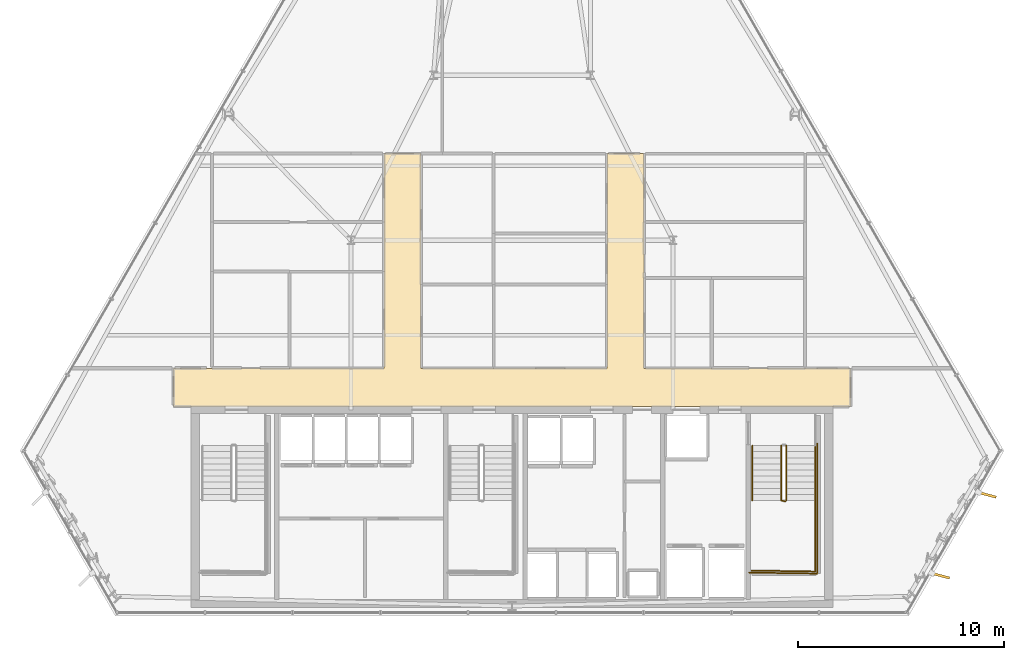
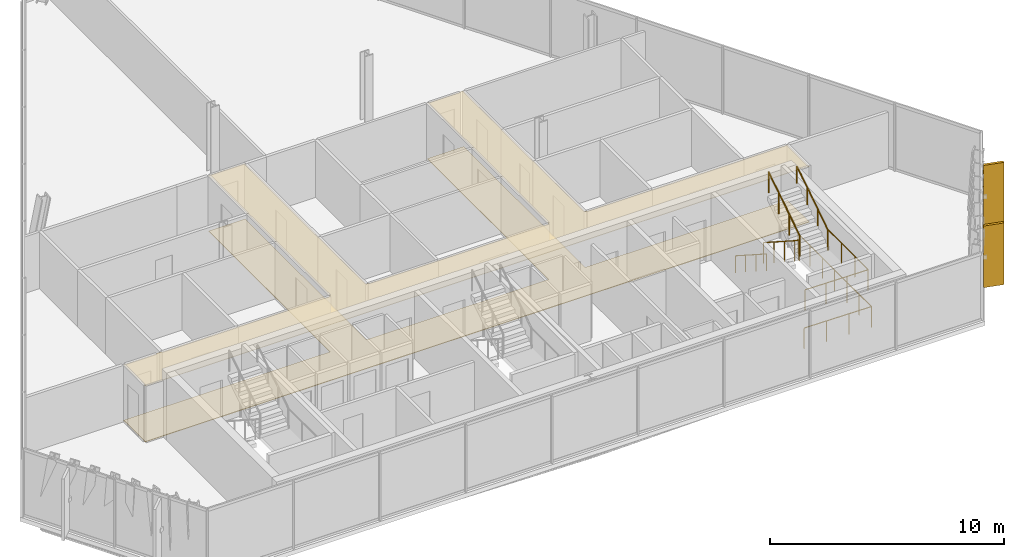
# One storey, part 32 of 34: 6 railings, 2 coverings, 2 shading devices.
"""IFC4 building model written with IfcOpenShell, lengths in metres."""

from ifc_helpers import new_model, si_unit, direction, frame, origin, origin_2d, place, context, subcontext, project, spatial, polyline, rectangle, circle, outline, extrude, material, layer, layer_set, type_object, element, save


model = new_model("IFC4")

# Units and contexts
model_context = context("Model", 3, precision=1e-05, world=origin(), true_north=direction((0.0, 1.0)))
body_context = subcontext(model_context, "Body", "Model", "MODEL_VIEW")
ifc_project = project(units=[si_unit("LENGTHUNIT", "METRE"), si_unit("AREAUNIT", "SQUARE_METRE"), si_unit("VOLUMEUNIT", "CUBIC_METRE"), si_unit("PLANEANGLEUNIT", "RADIAN"), si_unit("MASSUNIT", "GRAM", prefix="KILO")], contexts=[model_context])

# Site, building, storey
site_placement = place(None, origin())
site = spatial("IfcSite", under=ifc_project, at=site_placement, CompositionType="ELEMENT")
building_placement = place(site_placement, origin())
building = spatial("IfcBuilding", under=site, at=building_placement, Name="Ndaravel Arena Tower", CompositionType="ELEMENT")
storey_placement = place(building_placement, frame((0.0, 0.0, 199.199951171875)))
storey = spatial("IfcBuildingStorey", under=building, at=storey_placement, Name="L48", CompositionType="ELEMENT", Elevation=199.199951171875)

# Coverings
ifc_material_1 = material(Name="Acoustic Ceiling Tile", Category="finish")
ifc_layer_1 = layer(ifc_material_1, 0.02490234375)
ifc_layer_set_1 = layer_set([ifc_layer_1], Name="Acoustic Ceiling Tile")
covering_type_1 = type_object("IfcCoveringType", Name="COV-CEIL-AC600", PredefinedType="CEILING", material=ifc_layer_set_1)
covering_1_placement = place(storey_placement, frame((0.0, 0.0, 2.920654296875)))
element("IfcCovering", 1, at=covering_1_placement, inside=storey, type_object=covering_type_1, Name="L48 Corridor Acoustic Ceiling", PredefinedType="CEILING", context=body_context, shape_type="SweptSolid", body=[
    extrude(outline(polyline([(58.39990234375, 17.0), (48.39990234375, 17.0), (48.39990234375, 27.39990234375), (46.60009765625, 27.39990234375), (46.60009765625, 17.0), (37.60009765625, 17.0), (37.60009765625, 27.39990234375), (35.800048828125, 27.39990234375), (35.800048828125, 17.0), (25.60009765625, 17.0), (25.60009765625, 15.14990234375), (58.39990234375, 15.14990234375), (58.39990234375, 17.0)])), origin(), (0.0, 0.0, 1.0), 0.02490234375),
])
ifc_material_2 = material(Name="Terrazzo", Category="stone")
ifc_layer_2 = layer(ifc_material_2, 0.030029296875)
ifc_layer_set_2 = layer_set([ifc_layer_2], Name="Terrazzo")
covering_type_2 = type_object("IfcCoveringType", Name="COV-FLOOR-TERRAZZO", PredefinedType="FLOORING", material=ifc_layer_set_2)
covering_2_placement = place(storey_placement, origin())
element("IfcCovering", 2, at=covering_2_placement, inside=storey, type_object=covering_type_2, Name="L48 Corridor Terrazzo Flooring", PredefinedType="FLOORING", context=body_context, shape_type="SweptSolid", body=[
    extrude(outline(polyline([(58.39990234375, 17.0), (48.39990234375, 17.0), (48.39990234375, 27.39990234375), (46.60009765625, 27.39990234375), (46.60009765625, 17.0), (37.60009765625, 17.0), (37.60009765625, 27.39990234375), (35.800048828125, 27.39990234375), (35.800048828125, 17.0), (25.60009765625, 17.0), (25.60009765625, 15.14990234375), (58.39990234375, 15.14990234375), (58.39990234375, 17.0)])), origin(), (0.0, 0.0, 1.0), 0.030029296875),
])

# Railings
ifc_material_3 = material(Name="Steel S355", Category="steel")
ifc_layer_3 = layer(ifc_material_3, 0.06005859375)
ifc_layer_set_3 = layer_set([ifc_layer_3], Name="Steel S355")
railing_type_1 = type_object("IfcRailingType", Name="RAIL-STAIR-GD1100", PredefinedType="GUARDRAIL", material=ifc_layer_set_3)
railing_1_placement = place(storey_placement, frame((55.050048828125, 13.25, 0.18994140625)))
element("IfcRailing", 3, at=railing_1_placement, inside=storey, type_object=railing_type_1, Name="L48 ST-3 stair guard 1", PredefinedType="GUARDRAIL", context=body_context, shape_type="SweptSolid", body=[
    extrude(circle(Radius=0.02392578125, at=origin_2d()), frame((0.0, 0.0, 1.076171875), z_axis=(0.0, -0.840688348013, 0.541519253134), x_axis=(1.0, 0.0, 0.0)), (0.0, 0.0, 1.0), 3.158203125),
    extrude(circle(Radius=0.02392578125, at=origin_2d()), frame((0.0, -2.655029296875, 2.7861328125), z_axis=(0.966993988697, -0.254799187253, 0.0), x_axis=(0.254799187253, 0.966993988697, 0.0)), (0.0, 0.0, 1.0), 0.196533203125),
    extrude(circle(Radius=0.02099609375, at=origin_2d()), origin(), (0.0, 0.0, 1.0), 1.052001953125),
    extrude(circle(Radius=0.02099609375, at=origin_2d()), frame((0.0, -0.885009765625, 0.570068359375)), (0.0, 0.0, 1.0), 1.052001953125),
    extrude(circle(Radius=0.02099609375, at=origin_2d()), frame((0.0, -1.77001953125, 1.14013671875)), (0.0, 0.0, 1.0), 1.052001953125),
    extrude(circle(Radius=0.02099609375, at=origin_2d()), frame((0.0, -2.655029296875, 1.710205078125)), (0.0, 0.0, 1.0), 1.052001953125),
    extrude(circle(Radius=0.02099609375, at=origin_2d()), frame((0.18994140625, -2.705078125, 1.710205078125)), (0.0, 0.0, 1.0), 1.052001953125),
])
railing_2_placement = place(storey_placement, frame((56.68994140625, 10.594970703125, 1.900146484375)))
element("IfcRailing", 4, at=railing_2_placement, inside=storey, type_object=railing_type_1, Name="L48 ST-3 stair guard 2", PredefinedType="GUARDRAIL", context=body_context, shape_type="SweptSolid", body=[
    extrude(circle(Radius=0.02392578125, at=origin_2d()), frame((0.0, 0.0, 1.076171875), z_axis=(0.0, -1.0, 0.0), x_axis=(1.0, 0.0, 0.0)), (0.0, 0.0, 1.0), 3.445068359375),
    extrude(circle(Radius=0.02392578125, at=origin_2d()), frame((0.0, -3.445068359375, 1.076171875), z_axis=(-0.999868840623, 0.016195726322, 0.0), x_axis=(-0.016195726322, -0.999868840623, 0.0)), (0.0, 0.0, 1.0), 3.09033203125),
    extrude(circle(Radius=0.02099609375, at=origin_2d()), origin(), (0.0, 0.0, 1.0), 1.052001953125),
    extrude(circle(Radius=0.02099609375, at=origin_2d()), frame((0.0, -1.1484375, 0.0)), (0.0, 0.0, 1.0), 1.052001953125),
    extrude(circle(Radius=0.02099609375, at=origin_2d()), frame((0.0, -2.296630859375, 0.0)), (0.0, 0.0, 1.0), 1.052001953125),
    extrude(circle(Radius=0.02099609375, at=origin_2d()), frame((0.0, -3.445068359375, 0.0)), (0.0, 0.0, 1.0), 1.052001953125),
    extrude(circle(Radius=0.02099609375, at=origin_2d()), frame((-1.030029296875, -3.428466796875, 0.0)), (0.0, 0.0, 1.0), 1.052001953125),
    extrude(circle(Radius=0.02099609375, at=origin_2d()), frame((-2.059814453125, -3.41162109375, 0.0)), (0.0, 0.0, 1.0), 1.052001953125),
    extrude(circle(Radius=0.02099609375, at=origin_2d()), frame((-3.08984375, -3.39501953125, 0.0)), (0.0, 0.0, 1.0), 1.052001953125),
])
railing_3_placement = place(storey_placement, frame((55.2900390625, 10.594970703125, 2.090087890625)))
element("IfcRailing", 5, at=railing_3_placement, inside=storey, type_object=railing_type_1, Name="L48 ST-3 stair guard 3", PredefinedType="GUARDRAIL", context=body_context, shape_type="SweptSolid", body=[
    extrude(circle(Radius=0.02392578125, at=origin_2d()), frame((0.0, 0.0, 1.076171875), z_axis=(0.0, 0.840723540582, 0.54146461409), x_axis=(-1.0, 0.0, 0.0)), (0.0, 0.0, 1.0), 3.157958984375),
    extrude(circle(Radius=0.02099609375, at=origin_2d()), origin(), (0.0, 0.0, 1.0), 1.052001953125),
    extrude(circle(Radius=0.02099609375, at=origin_2d()), frame((0.0, 0.885009765625, 0.570068359375)), (0.0, 0.0, 1.0), 1.052001953125),
    extrude(circle(Radius=0.02099609375, at=origin_2d()), frame((0.0, 1.77001953125, 1.139892578125)), (0.0, 0.0, 1.0), 1.052001953125),
    extrude(circle(Radius=0.02099609375, at=origin_2d()), frame((0.0, 2.655029296875, 1.7099609375)), (0.0, 0.0, 1.0), 1.052001953125),
])
railing_4_placement = place(storey_placement, frame((56.7900390625, 13.35009765625, 0.0)))
element("IfcRailing", 6, at=railing_4_placement, inside=storey, type_object=railing_type_1, Name="L48 ST-3 stair guard 6", PredefinedType="GUARDRAIL", context=body_context, shape_type="SweptSolid", body=[
    extrude(circle(Radius=0.02392578125, at=origin_2d()), frame((0.0, 0.0, 1.076171875), z_axis=(0.0, -1.0, 0.0), x_axis=(1.0, 0.0, 0.0)), (0.0, 0.0, 1.0), 6.300048828125),
    extrude(circle(Radius=0.02392578125, at=origin_2d()), frame((0.0, -6.300048828125, 1.076171875), z_axis=(-0.99988431412, 0.015210469308, 0.0), x_axis=(-0.015210469308, -0.99988431412, 0.0)), (0.0, 0.0, 1.0), 3.29052734375),
    extrude(circle(Radius=0.02099609375, at=origin_2d()), origin(), (0.0, 0.0, 1.0), 1.052001953125),
    extrude(circle(Radius=0.02099609375, at=origin_2d()), frame((0.0, -1.050048828125, 0.0)), (0.0, 0.0, 1.0), 1.052001953125),
    extrude(circle(Radius=0.02099609375, at=origin_2d()), frame((0.0, -2.10009765625, 0.0)), (0.0, 0.0, 1.0), 1.052001953125),
    extrude(circle(Radius=0.02099609375, at=origin_2d()), frame((0.0, -3.14990234375, 0.0)), (0.0, 0.0, 1.0), 1.052001953125),
    extrude(circle(Radius=0.02099609375, at=origin_2d()), frame((0.0, -4.199951171875, 0.0)), (0.0, 0.0, 1.0), 1.052001953125),
    extrude(circle(Radius=0.02099609375, at=origin_2d()), frame((0.0, -5.25, 0.0)), (0.0, 0.0, 1.0), 1.052001953125),
    extrude(circle(Radius=0.02099609375, at=origin_2d()), frame((0.0, -6.300048828125, 0.0)), (0.0, 0.0, 1.0), 1.052001953125),
    extrude(circle(Radius=0.02099609375, at=origin_2d()), frame((-1.0966796875, -6.283447265625, 0.0)), (0.0, 0.0, 1.0), 1.052001953125),
    extrude(circle(Radius=0.02099609375, at=origin_2d()), frame((-2.193359375, -6.2666015625, 0.0)), (0.0, 0.0, 1.0), 1.052001953125),
    extrude(circle(Radius=0.02099609375, at=origin_2d()), frame((-3.2900390625, -6.25, 0.0)), (0.0, 0.0, 1.0), 1.052001953125),
])
ifc_material_4 = material(Name="Steel S355", Category="steel")
ifc_layer_4 = layer(ifc_material_4, 0.050048828125)
ifc_layer_set_4 = layer_set([ifc_layer_4], Name="Steel S355")
railing_type_2 = type_object("IfcRailingType", Name="RAIL-STAIR-HR920", PredefinedType="HANDRAIL", material=ifc_layer_set_4)
railing_5_placement = place(storey_placement, frame((53.64990234375, 13.25, 0.18994140625)))
element("IfcRailing", 7, at=railing_5_placement, inside=storey, type_object=railing_type_2, Name="L48 ST-3 stair handrail 1", PredefinedType="HANDRAIL", context=body_context, shape_type="SweptSolid", body=[
    extrude(circle(Radius=0.02392578125, at=origin_2d()), frame((0.0, 0.0, 0.8759765625), z_axis=(0.0, -0.840688348013, 0.541519253134), x_axis=(1.0, 0.0, 0.0)), (0.0, 0.0, 1.0), 3.158203125),
    extrude(circle(Radius=0.02099609375, at=origin_2d()), origin(), (0.0, 0.0, 1.0), 0.851806640625),
    extrude(circle(Radius=0.02099609375, at=origin_2d()), frame((0.0, -0.885009765625, 0.570068359375)), (0.0, 0.0, 1.0), 0.851806640625),
    extrude(circle(Radius=0.02099609375, at=origin_2d()), frame((0.0, -1.77001953125, 1.14013671875)), (0.0, 0.0, 1.0), 0.851806640625),
    extrude(circle(Radius=0.02099609375, at=origin_2d()), frame((0.0, -2.655029296875, 1.710205078125)), (0.0, 0.0, 1.0), 0.851806640625),
])
railing_6_placement = place(storey_placement, frame((56.68994140625, 10.594970703125, 2.090087890625)))
element("IfcRailing", 8, at=railing_6_placement, inside=storey, type_object=railing_type_2, Name="L48 ST-3 stair handrail 2", PredefinedType="HANDRAIL", context=body_context, shape_type="SweptSolid", body=[
    extrude(circle(Radius=0.02392578125, at=origin_2d()), frame((0.0, 0.0, 0.8759765625), z_axis=(0.0, 0.840723540582, 0.54146461409), x_axis=(-1.0, 0.0, 0.0)), (0.0, 0.0, 1.0), 3.157958984375),
    extrude(circle(Radius=0.02099609375, at=origin_2d()), origin(), (0.0, 0.0, 1.0), 0.851806640625),
    extrude(circle(Radius=0.02099609375, at=origin_2d()), frame((0.0, 0.885009765625, 0.570068359375)), (0.0, 0.0, 1.0), 0.851806640625),
    extrude(circle(Radius=0.02099609375, at=origin_2d()), frame((0.0, 1.77001953125, 1.139892578125)), (0.0, 0.0, 1.0), 0.851806640625),
    extrude(circle(Radius=0.02099609375, at=origin_2d()), frame((0.0, 2.655029296875, 1.7099609375)), (0.0, 0.0, 1.0), 0.851806640625),
])

# Shading devices
ifc_material_5 = material(Name="Masonry", Category="masonry")
shading_device_type = type_object("IfcShadingDeviceType", Name="SHD-MAZERAS-FIN", PredefinedType="SHUTTER", material=ifc_material_5)
for number, where, z_axis, x_axis, name in (
    (9, (62.76318359375, 6.951416015625, 0.14990234375), (0.0, 0.0, 1.0), (0.965925826289, -0.258819045103, 0.0), "L48 Mazeras Stone Solar Fin E2.1"),
    (10, (65.02490234375, 10.868408203125, 0.14990234375), (0.0, 0.0, 1.0), (0.965925826289, -0.258819045103, 0.0), "L48 Mazeras Stone Solar Fin E2.2"),
):
    element("IfcShadingDevice", number, at=place(storey_placement, frame(where, z_axis=z_axis, x_axis=x_axis)), inside=storey, type_object=shading_device_type, Name=name, PredefinedType="SHUTTER", context=body_context, shape_type="SweptSolid", body=[
        extrude(rectangle(XDim=0.89990234375, YDim=0.1201171875, at=origin_2d()), origin(), (0.0, 0.0, 1.0), 3.219970703125),
    ])

save(model, "model.ifc")
